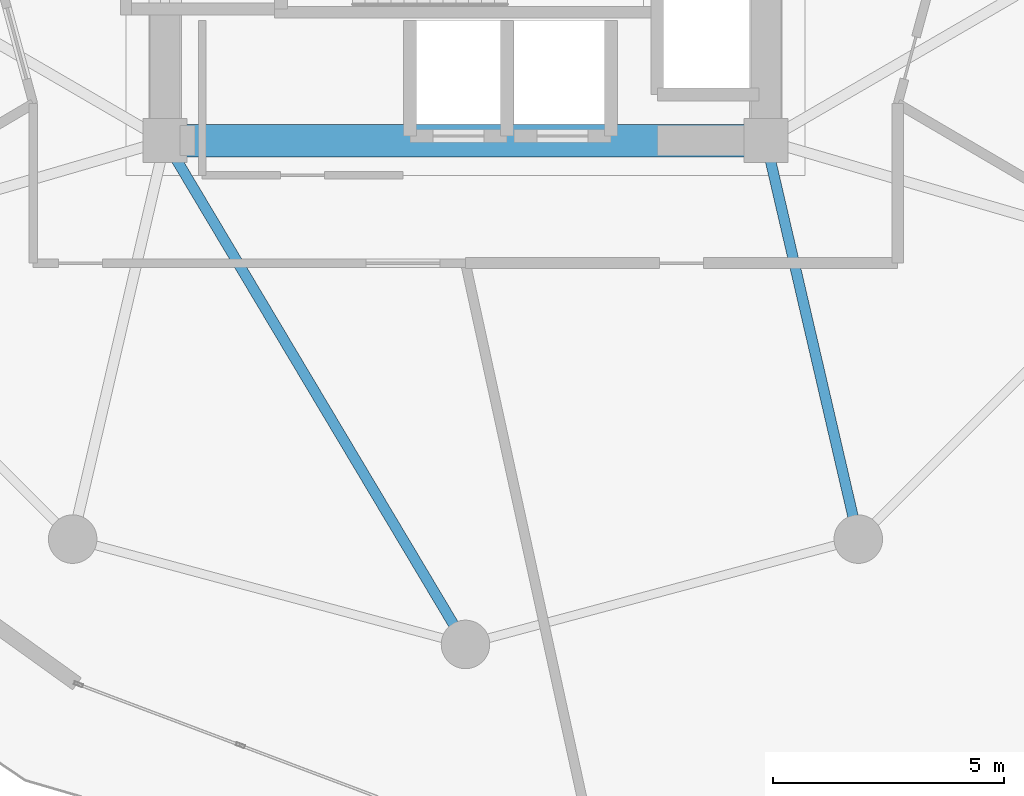
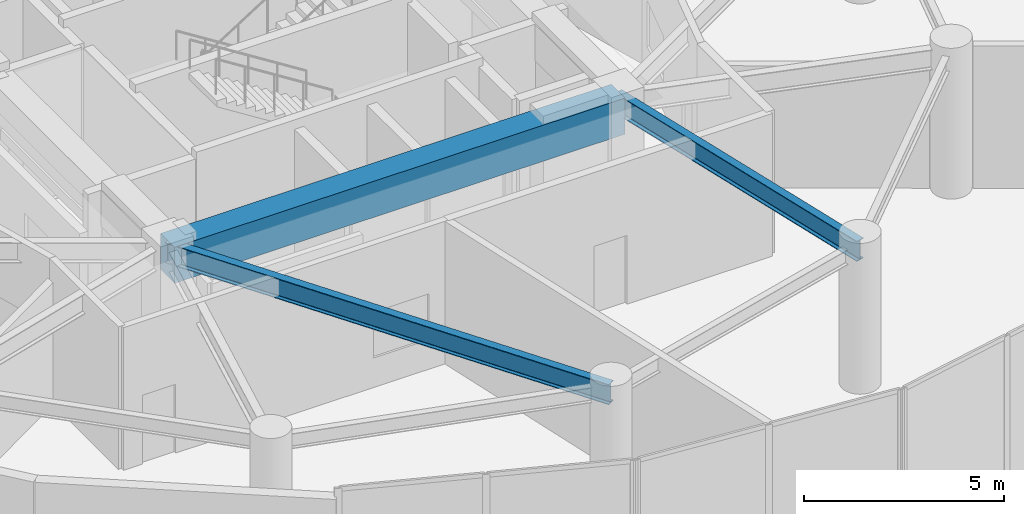
# One storey, part 6 of 28: 3 beams.
"""IFC4 building model written with IfcOpenShell, lengths in metres."""

from ifc_helpers import new_model, si_unit, direction, frame, origin, origin_2d, place, context, subcontext, project, spatial, rectangle, i_section, extrude, material, material_profile, profile_set, type_object, element, save


model = new_model("IFC4")

# Units and contexts
model_context = context("Model", 3, precision=1e-05, world=origin(), true_north=direction((0.0, 1.0)))
body_context = subcontext(model_context, "Body", "Model", "MODEL_VIEW")
ifc_project = project(units=[si_unit("LENGTHUNIT", "METRE"), si_unit("AREAUNIT", "SQUARE_METRE"), si_unit("VOLUMEUNIT", "CUBIC_METRE"), si_unit("PLANEANGLEUNIT", "RADIAN"), si_unit("MASSUNIT", "GRAM", prefix="KILO")], contexts=[model_context])

# Site, building, storey
site_placement = place(None, origin())
site = spatial("IfcSite", under=ifc_project, at=site_placement, CompositionType="ELEMENT")
building_placement = place(site_placement, origin())
building = spatial("IfcBuilding", under=site, at=building_placement, Name="Solvirekh Grand Hotel", CompositionType="ELEMENT")
storey_placement = place(building_placement, frame((0.0, 0.0, 98.0)))
storey = spatial("IfcBuildingStorey", under=building, at=storey_placement, Name="L24", CompositionType="ELEMENT", Elevation=98.0)

# Beams
ifc_material_1 = material(Name="Concrete C60/75", Category="concrete")
ifc_material_profile_1 = material_profile(ifc_material_1, rectangle(XDim=0.699951171875, YDim=1.10009765625, at=origin_2d()), Name="RC BEAM 700X1100")
ifc_profile_set_1 = profile_set([ifc_material_profile_1], Name="Concrete C60/75")
beam_type_1 = type_object("IfcBeamType", Name="Beam_Core_RC1100", PredefinedType="BEAM", material=ifc_profile_set_1)
beam_1_placement = place(storey_placement, frame((-6.5, -6.10009765625, 3.800048828125), z_axis=(1.0, 0.0, 0.0), x_axis=(0.0, 1.0, 0.0)))
element("IfcBeam", 1, at=beam_1_placement, inside=storey, type_object=beam_type_1, Name="L24 core coupling ring beam 1", PredefinedType="BEAM", context=body_context, shape_type="SweptSolid", body=[
    extrude(rectangle(XDim=0.699951171875, YDim=1.10009765625, at=origin_2d()), origin(), (0.0, 0.0, 1.0), 13.0),
])
ifc_material_2 = material(Name="Steel S355", Category="steel")
ifc_material_profile_2 = material_profile(ifc_material_2, i_section(OverallWidth=0.22802734375, OverallDepth=0.616943359375, WebThickness=0.012939453125, FlangeThickness=0.02001953125, FilletRadius=0.014892578125, at=origin_2d()), Name="W610X140")
ifc_profile_set_2 = profile_set([ifc_material_profile_2], Name="Steel S355")
beam_type_2 = type_object("IfcBeamType", Name="Beam_Radial_W610", PredefinedType="BEAM", material=ifc_profile_set_2)
beam_2_placement = place(storey_placement, frame((-6.5, -6.10009765625, 4.041015625), z_axis=(0.512179721377, -0.858878299301, 0.0), x_axis=(0.858878299301, 0.512179721377, 0.0)))
element("IfcBeam", 2, at=beam_2_placement, inside=storey, type_object=beam_type_2, Name="L24 radial floor beam R10", PredefinedType="BEAM", context=body_context, shape_type="SweptSolid", body=[
    extrude(i_section(OverallWidth=0.22802734375, OverallDepth=0.616943359375, WebThickness=0.012939453125, FlangeThickness=0.02001953125, FilletRadius=0.014892578125, at=origin_2d()), origin(), (0.0, 0.0, 1.0), 12.69091796875),
])
beam_3_placement = place(storey_placement, frame((6.5, -6.10009765625, 4.041015625), z_axis=(0.225969390542, -0.974134402707, 0.0), x_axis=(0.974134402707, 0.225969390542, 0.0)))
element("IfcBeam", 3, at=beam_3_placement, inside=storey, type_object=beam_type_2, Name="L24 radial floor beam R11", PredefinedType="BEAM", context=body_context, shape_type="SweptSolid", body=[
    extrude(i_section(OverallWidth=0.22802734375, OverallDepth=0.616943359375, WebThickness=0.012939453125, FlangeThickness=0.02001953125, FilletRadius=0.014892578125, at=origin_2d()), origin(), (0.0, 0.0, 1.0), 8.850830078125),
])

save(model, "model.ifc")
